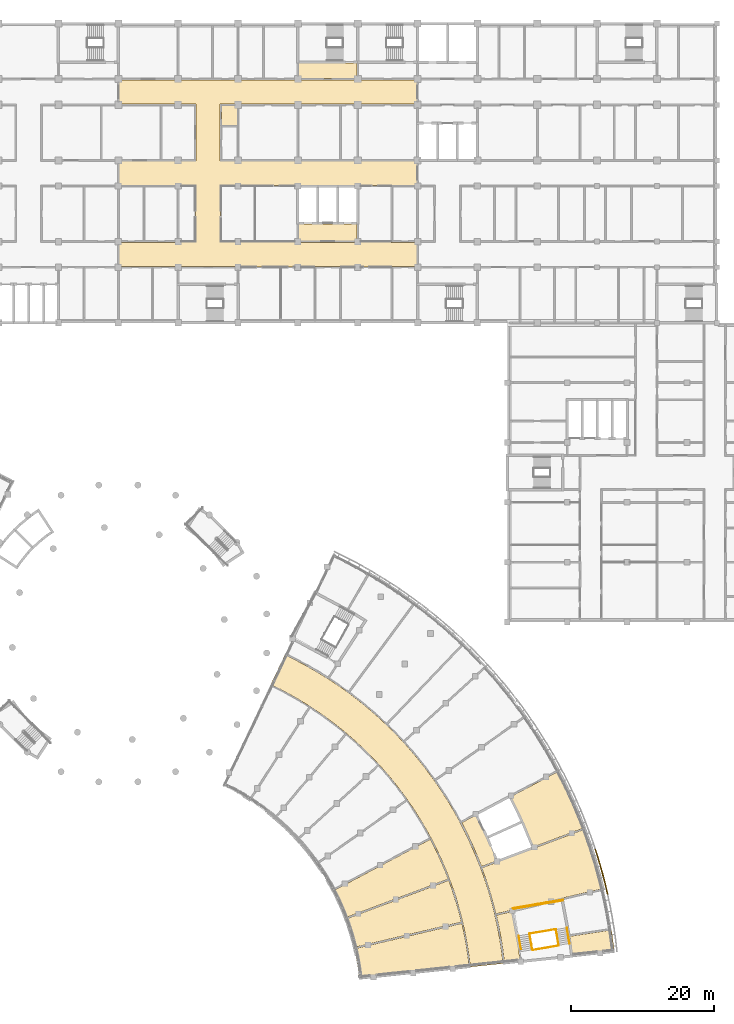
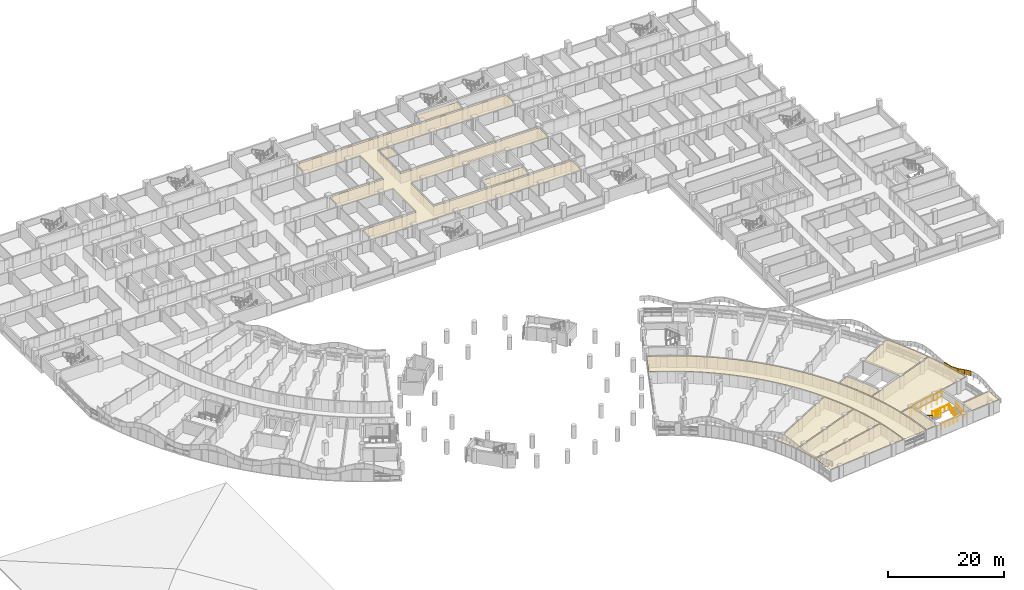
# One storey, part 85 of 89: 17 coverings, 8 railings.
"""IFC4 building model written with IfcOpenShell, lengths in metres."""

from ifc_helpers import new_model, si_unit, direction, frame, origin, origin_2d, place, context, subcontext, project, spatial, polyline, circle, outline, extrude, material, layer, layer_set, type_object, element, save


model = new_model("IFC4")

# Units and contexts
model_context = context("Model", 3, precision=1e-05, world=origin(), true_north=direction((0.0, 1.0)))
body_context = subcontext(model_context, "Body", "Model", "MODEL_VIEW")
ifc_project = project(units=[si_unit("LENGTHUNIT", "METRE"), si_unit("AREAUNIT", "SQUARE_METRE"), si_unit("VOLUMEUNIT", "CUBIC_METRE"), si_unit("PLANEANGLEUNIT", "RADIAN"), si_unit("MASSUNIT", "GRAM", prefix="KILO")], contexts=[model_context])

# Site, building, storey
site_placement = place(None, origin())
site = spatial("IfcSite", under=ifc_project, at=site_placement, CompositionType="ELEMENT")
building_placement = place(site_placement, origin())
building = spatial("IfcBuilding", under=site, at=building_placement, Name="Bougainvillea Quay General Hospital", CompositionType="ELEMENT")
storey_placement = place(building_placement, frame((0.0, 0.0, 9.89990234375)))
storey = spatial("IfcBuildingStorey", under=building, at=storey_placement, Name="L01M", CompositionType="ELEMENT", Elevation=9.89990234375)

# Coverings
ifc_material_1 = material(Name="Powder-coated aluminium fascia, green", Category="aluminium")
ifc_layer_1 = layer(ifc_material_1, 0.14990234375)
ifc_layer_set_1 = layer_set([ifc_layer_1], Name="Powder-coated aluminium fascia, green")
covering_type_1 = type_object("IfcCoveringType", Name="Aluminium wave fascia ribbon green 150x1000", PredefinedType="CLADDING", material=ifc_layer_set_1)
covering_1_placement = place(storey_placement, frame((177.794677734375, 37.392822265625, 2.845947265625), z_axis=(-0.069243969513, 0.293427459463, 0.95347029252), x_axis=(-0.21961483717, 0.927833476281, -0.301486921087)))
element("IfcCovering", 1, at=covering_1_placement, inside=storey, type_object=covering_type_1, Name="Fascia ribbon green a14 6", PredefinedType="CLADDING", context=body_context, shape_type="SweptSolid", body=[
    extrude(outline(polyline([(0.0, 0.0), (1.7108892483990705, -3.054739620977909e-17), (1.7126060172902635, -0.1499179475852107), (-0.0019098084681321576, -0.14984343311987128), (0.0, 0.0)])), origin(), (-0.301486921087, 0.000194150786, 0.95347029252), 1.0),
])
covering_2_placement = place(storey_placement, frame((177.4189453125, 38.980224609375, 2.32958984375), z_axis=(-0.085104385165, 0.329449818461, 0.940329761702), x_axis=(-0.237686434535, 0.909794477291, -0.340263380236)))
element("IfcCovering", 2, at=covering_2_placement, inside=storey, type_object=covering_type_1, Name="Fascia ribbon green a14 7", PredefinedType="CLADDING", context=body_context, shape_type="SweptSolid", body=[
    extrude(outline(polyline([(0.0, 0.0), (1.734870736578066, 3.707971429900425e-17), (1.7366918888687943, -0.15007130792998427), (-0.0018779441171948652, -0.1499160264005808), (0.0, 0.0)])), origin(), (-0.340263380236, 0.000878253092, 0.940329761702), 1.0),
])
covering_3_placement = place(storey_placement, frame((177.006591796875, 40.55859375, 1.73876953125), z_axis=(-0.052959620877, 0.188504319336, 0.980643360324), x_axis=(-0.26975247565, 0.942812730968, -0.195800296746)))
element("IfcCovering", 3, at=covering_3_placement, inside=storey, type_object=covering_type_1, Name="Fascia ribbon green a14 8", PredefinedType="CLADDING", context=body_context, shape_type="SweptSolid", body=[
    extrude(outline(polyline([(0.0, 0.0), (1.663484284629081, -4.515702048402126e-17), (1.6651369635428515, -0.1497693121286236), (-0.0018123427588536034, -0.15006982468671332), (0.0, 0.0)])), origin(), (-0.195800296746, 0.000918502021, 0.980643360324), 1.0),
])
covering_4_placement = place(storey_placement, frame((176.557861328125, 42.126953125, 1.412841796875), z_axis=(0.02289542579, -0.073578998497, 0.99702654451), x_axis=(-0.29664879817, 0.951872587131, 0.077058863302)))
element("IfcCovering", 4, at=covering_4_placement, inside=storey, type_object=covering_type_1, Name="Fascia ribbon green a14 9", PredefinedType="CLADDING", context=body_context, shape_type="SweptSolid", body=[
    extrude(outline(polyline([(0.0, 0.0), (1.636126092870081, 8.610259315429414e-17), (1.6379122854056312, -0.1501556401535075), (-0.001916941058558913, -0.14976530107298233), (0.0, 0.0)])), origin(), (0.077058863302, -3.3593295e-05, 0.99702654451), 1.0),
])

# Railings
ifc_material_2 = material(Name="Stainless steel 304 balustrade", Category="steel")
railing_type_1 = type_object("IfcRailingType", Name="Stair guard 1100", PredefinedType="GUARDRAIL", material=ifc_material_2)
railing_1_placement = place(storey_placement, frame((170.99755859375, 30.240966796875, 0.150146484375)))
element("IfcRailing", 5, at=railing_1_placement, inside=storey, type_object=railing_type_1, Name="L01M ST-E2 stair guard 1", PredefinedType="GUARDRAIL", context=body_context, shape_type="SweptSolid", body=[
    extrude(circle(Radius=0.02392578125, at=origin_2d()), frame((0.0, 0.0, 1.076171875), z_axis=(-0.147859308869, 0.868997692473, 0.472208254119), x_axis=(-0.985831525251, -0.167738498326, 0.0)), (0.0, 0.0, 1.0), 2.541259765625),
    extrude(circle(Radius=0.02099609375, at=origin_2d()), origin(), (0.0, 0.0, 1.0), 1.052001953125),
    extrude(circle(Radius=0.02099609375, at=origin_2d()), frame((-0.125244140625, 0.736083984375, 0.39990234375)), (0.0, 0.0, 1.0), 1.052001953125),
    extrude(circle(Radius=0.02099609375, at=origin_2d()), frame((-0.25048828125, 1.47216796875, 0.800048828125)), (0.0, 0.0, 1.0), 1.052001953125),
    extrude(circle(Radius=0.02099609375, at=origin_2d()), frame((-0.375732421875, 2.208251953125, 1.199951171875)), (0.0, 0.0, 1.0), 1.052001953125),
])
railing_2_placement = place(storey_placement, frame((170.564208984375, 32.490234375, 1.35009765625)))
element("IfcRailing", 6, at=railing_2_placement, inside=storey, type_object=railing_type_1, Name="L01M ST-E2 stair guard 2", PredefinedType="GUARDRAIL", context=body_context, shape_type="SweptSolid", body=[
    extrude(circle(Radius=0.02392578125, at=origin_2d()), frame((0.0, 0.0, 1.076171875), z_axis=(-0.985825397362, -0.167774509137, 0.0), x_axis=(0.167774509137, -0.985825397362, 0.0)), (0.0, 0.0, 1.0), 3.658203125),
    extrude(circle(Radius=0.02099609375, at=origin_2d()), origin(), (0.0, 0.0, 1.0), 1.052001953125),
    extrude(circle(Radius=0.02099609375, at=origin_2d()), frame((-0.901611328125, -0.1533203125, 0.0)), (0.0, 0.0, 1.0), 1.052001953125),
    extrude(circle(Radius=0.02099609375, at=origin_2d()), frame((-1.80322265625, -0.306884765625, 0.0)), (0.0, 0.0, 1.0), 1.052001953125),
    extrude(circle(Radius=0.02099609375, at=origin_2d()), frame((-2.704833984375, -0.46044921875, 0.0)), (0.0, 0.0, 1.0), 1.052001953125),
    extrude(circle(Radius=0.02099609375, at=origin_2d()), frame((-3.6064453125, -0.61376953125, 0.0)), (0.0, 0.0, 1.0), 1.052001953125),
])
railing_3_placement = place(storey_placement, frame((171.55322265625, 36.51416015625, 1.35009765625)))
element("IfcRailing", 7, at=railing_3_placement, inside=storey, type_object=railing_type_1, Name="L01M ST-E2 stair guard 3", PredefinedType="GUARDRAIL", context=body_context, shape_type="SweptSolid", body=[
    extrude(circle(Radius=0.02392578125, at=origin_2d()), frame((0.0, 0.0, 1.076171875), z_axis=(-0.985829689337, -0.167749287992, 0.0), x_axis=(0.167749287992, -0.985829689337, 0.0)), (0.0, 0.0, 1.0), 6.958251953125),
    extrude(circle(Radius=0.02099609375, at=origin_2d()), origin(), (0.0, 0.0, 1.0), 1.052001953125),
    extrude(circle(Radius=0.02099609375, at=origin_2d()), frame((-1.143310546875, -0.194580078125, 0.0)), (0.0, 0.0, 1.0), 1.052001953125),
    extrude(circle(Radius=0.02099609375, at=origin_2d()), frame((-2.28662109375, -0.38916015625, 0.0)), (0.0, 0.0, 1.0), 1.052001953125),
    extrude(circle(Radius=0.02099609375, at=origin_2d()), frame((-3.4296875, -0.58349609375, 0.0)), (0.0, 0.0, 1.0), 1.052001953125),
    extrude(circle(Radius=0.02099609375, at=origin_2d()), frame((-4.572998046875, -0.778076171875, 0.0)), (0.0, 0.0, 1.0), 1.052001953125),
    extrude(circle(Radius=0.02099609375, at=origin_2d()), frame((-5.71630859375, -0.97265625, 0.0)), (0.0, 0.0, 1.0), 1.052001953125),
    extrude(circle(Radius=0.02099609375, at=origin_2d()), frame((-6.859619140625, -1.167236328125, 0.0)), (0.0, 0.0, 1.0), 1.052001953125),
])
railing_4_placement = place(storey_placement, frame((166.9169921875, 31.81884765625, 1.5)))
element("IfcRailing", 8, at=railing_4_placement, inside=storey, type_object=railing_type_1, Name="L01M ST-E2 stair guard 4", PredefinedType="GUARDRAIL", context=body_context, shape_type="SweptSolid", body=[
    extrude(circle(Radius=0.02392578125, at=origin_2d()), frame((0.0, 0.0, 1.076171875), z_axis=(0.147852600654, -0.868958267004, 0.472282901115), x_axis=(0.985831525251, 0.167738498326, 0.0)), (0.0, 0.0, 1.0), 2.541259765625),
    extrude(circle(Radius=0.02099609375, at=origin_2d()), origin(), (0.0, 0.0, 1.0), 1.052001953125),
    extrude(circle(Radius=0.02099609375, at=origin_2d()), frame((0.125244140625, -0.736083984375, 0.400146484375)), (0.0, 0.0, 1.0), 1.052001953125),
    extrude(circle(Radius=0.02099609375, at=origin_2d()), frame((0.25048828125, -1.47216796875, 0.800048828125)), (0.0, 0.0, 1.0), 1.052001953125),
    extrude(circle(Radius=0.02099609375, at=origin_2d()), frame((0.375732421875, -2.208251953125, 1.2001953125)), (0.0, 0.0, 1.0), 1.052001953125),
])
railing_5_placement = place(storey_placement, frame((170.95654296875, 30.183349609375, 0.0)))
element("IfcRailing", 9, at=railing_5_placement, inside=storey, type_object=railing_type_1, Name="L01M ST-E2 stair guard 5", PredefinedType="GUARDRAIL", context=body_context, shape_type="SweptSolid", body=[
    extrude(circle(Radius=0.02392578125, at=origin_2d()), frame((0.0, 0.0, 1.076171875), z_axis=(-0.98582351867, -0.167785547758, 0.0), x_axis=(0.167785547758, -0.98582351867, 0.0)), (0.0, 0.0, 1.0), 3.657958984375),
    extrude(circle(Radius=0.02099609375, at=origin_2d()), origin(), (0.0, 0.0, 1.0), 1.052001953125),
    extrude(circle(Radius=0.02099609375, at=origin_2d()), frame((-0.901611328125, -0.1533203125, 0.0)), (0.0, 0.0, 1.0), 1.052001953125),
    extrude(circle(Radius=0.02099609375, at=origin_2d()), frame((-1.80322265625, -0.306884765625, 0.0)), (0.0, 0.0, 1.0), 1.052001953125),
    extrude(circle(Radius=0.02099609375, at=origin_2d()), frame((-2.70458984375, -0.46044921875, 0.0)), (0.0, 0.0, 1.0), 1.052001953125),
    extrude(circle(Radius=0.02099609375, at=origin_2d()), frame((-3.606201171875, -0.61376953125, 0.0)), (0.0, 0.0, 1.0), 1.052001953125),
])
railing_6_placement = place(storey_placement, frame((171.635009765625, 36.62939453125, 0.0)))
element("IfcRailing", 10, at=railing_6_placement, inside=storey, type_object=railing_type_1, Name="L01M ST-E2 stair guard 6", PredefinedType="GUARDRAIL", context=body_context, shape_type="SweptSolid", body=[
    extrude(circle(Radius=0.02392578125, at=origin_2d()), frame((0.0, 0.0, 1.076171875), z_axis=(-0.98583149158, -0.167738696222, 0.0), x_axis=(0.167738696222, -0.98583149158, 0.0)), (0.0, 0.0, 1.0), 7.157958984375),
    extrude(circle(Radius=0.02099609375, at=origin_2d()), origin(), (0.0, 0.0, 1.0), 1.052001953125),
    extrude(circle(Radius=0.02099609375, at=origin_2d()), frame((-1.176025390625, -0.2001953125, 0.0)), (0.0, 0.0, 1.0), 1.052001953125),
    extrude(circle(Radius=0.02099609375, at=origin_2d()), frame((-2.352294921875, -0.400146484375, 0.0)), (0.0, 0.0, 1.0), 1.052001953125),
    extrude(circle(Radius=0.02099609375, at=origin_2d()), frame((-3.5283203125, -0.600341796875, 0.0)), (0.0, 0.0, 1.0), 1.052001953125),
    extrude(circle(Radius=0.02099609375, at=origin_2d()), frame((-4.704345703125, -0.800537109375, 0.0)), (0.0, 0.0, 1.0), 1.052001953125),
    extrude(circle(Radius=0.02099609375, at=origin_2d()), frame((-5.880615234375, -1.00048828125, 0.0)), (0.0, 0.0, 1.0), 1.052001953125),
    extrude(circle(Radius=0.02099609375, at=origin_2d()), frame((-7.056640625, -1.20068359375, 0.0)), (0.0, 0.0, 1.0), 1.052001953125),
])
ifc_material_3 = material(Name="Stainless steel 304 handrail", Category="steel")
railing_type_2 = type_object("IfcRailingType", Name="Stair handrail 900", PredefinedType="HANDRAIL", material=ifc_material_3)
railing_7_placement = place(storey_placement, frame((172.525634765625, 30.5009765625, 0.150146484375)))
element("IfcRailing", 11, at=railing_7_placement, inside=storey, type_object=railing_type_2, Name="L01M ST-E2 stair handrail 1", PredefinedType="HANDRAIL", context=body_context, shape_type="SweptSolid", body=[
    extrude(circle(Radius=0.02392578125, at=origin_2d()), frame((0.0, 0.0, 0.8759765625), z_axis=(-0.147859308869, 0.868997692473, 0.472208254119), x_axis=(-0.985831525251, -0.167738498326, 0.0)), (0.0, 0.0, 1.0), 2.541259765625),
    extrude(circle(Radius=0.02099609375, at=origin_2d()), origin(), (0.0, 0.0, 1.0), 0.851806640625),
    extrude(circle(Radius=0.02099609375, at=origin_2d()), frame((-0.125244140625, 0.736083984375, 0.39990234375)), (0.0, 0.0, 1.0), 0.851806640625),
    extrude(circle(Radius=0.02099609375, at=origin_2d()), frame((-0.25048828125, 1.47216796875, 0.800048828125)), (0.0, 0.0, 1.0), 0.851806640625),
    extrude(circle(Radius=0.02099609375, at=origin_2d()), frame((-0.375732421875, 2.208251953125, 1.199951171875)), (0.0, 0.0, 1.0), 0.851806640625),
])
railing_8_placement = place(storey_placement, frame((165.388916015625, 31.558837890625, 1.5)))
element("IfcRailing", 12, at=railing_8_placement, inside=storey, type_object=railing_type_2, Name="L01M ST-E2 stair handrail 2", PredefinedType="HANDRAIL", context=body_context, shape_type="SweptSolid", body=[
    extrude(circle(Radius=0.02392578125, at=origin_2d()), frame((0.0, 0.0, 0.8759765625), z_axis=(0.147891180393, -0.868931731687, 0.472319642224), x_axis=(0.98582343924, 0.167786014449, 0.0)), (0.0, 0.0, 1.0), 2.147705078125),
    extrude(circle(Radius=0.02099609375, at=origin_2d()), origin(), (0.0, 0.0, 1.0), 0.851806640625),
    extrude(circle(Radius=0.02099609375, at=origin_2d()), frame((0.15869140625, -0.93310546875, 0.50732421875)), (0.0, 0.0, 1.0), 0.851806640625),
    extrude(circle(Radius=0.02099609375, at=origin_2d()), frame((0.317626953125, -1.8662109375, 1.014404296875)), (0.0, 0.0, 1.0), 0.851806640625),
])

# Coverings
ifc_material_4 = material(Name="Mineral fibre ceiling tile")
ifc_layer_2 = layer(ifc_material_4, 0.030029296875)
ifc_layer_set_2 = layer_set([ifc_layer_2], Name="Mineral fibre ceiling tile")
covering_type_2 = type_object("IfcCoveringType", Name="Suspended ceiling mineral fibre tile", PredefinedType="CEILING", material=ifc_layer_set_2)
covering_5_placement = place(storey_placement, frame((0.0, 0.0, 2.050048828125)))
element("IfcCovering", 13, at=covering_5_placement, inside=storey, type_object=covering_type_2, Name="Ceiling Corridor V4-4", PredefinedType="CEILING", context=body_context, shape_type="SweptSolid", body=[
    extrude(outline(polyline([(109.300048828125, 148.300048828125), (120.10009765625, 148.300048828125), (120.10009765625, 140.300048828125), (109.300048828125, 140.300048828125), (109.300048828125, 136.89990234375), (117.699951171875, 136.89990234375), (117.699951171875, 136.85009765625), (120.050048828125, 136.85009765625), (120.050048828125, 128.949951171875), (117.699951171875, 128.949951171875), (117.699951171875, 128.89990234375), (109.300048828125, 128.89990234375), (109.300048828125, 125.5), (126.10009765625, 125.5), (126.10009765625, 125.449951171875), (136.697998046875, 125.449951171875), (136.697998046875, 125.5), (140.498046875, 125.5), (140.498046875, 125.449951171875), (147.498046875, 125.449951171875), (147.498046875, 125.5), (151.10009765625, 125.5), (151.10009765625, 128.89990234375), (147.5, 128.89990234375), (147.5, 128.949951171875), (142.89990234375, 128.949951171875), (142.89990234375, 128.89990234375), (134.300048828125, 128.89990234375), (134.300048828125, 128.949951171875), (123.550048828125, 128.949951171875), (123.550048828125, 136.85009765625), (147.5, 136.85009765625), (147.5, 136.89990234375), (151.10009765625, 136.89990234375), (151.10009765625, 140.300048828125), (123.5, 140.300048828125), (123.5, 148.300048828125), (151.10009765625, 148.300048828125), (151.10009765625, 151.699951171875), (109.300048828125, 151.699951171875), (109.300048828125, 148.300048828125)])), origin(), (0.0, 0.0, 1.0), 0.030029296875),
])
covering_6_placement = place(storey_placement, frame((0.0, 0.0, 2.050048828125)))
element("IfcCovering", 14, at=covering_6_placement, inside=storey, type_object=covering_type_2, Name="Ceiling Fire Lift Lobby LB-B2", PredefinedType="CEILING", context=body_context, shape_type="SweptSolid", body=[
    extrude(outline(polyline([(142.699951171875, 129.10009765625), (142.699951171875, 131.5), (134.5, 131.5), (134.5, 129.10009765625), (142.699951171875, 129.10009765625)])), origin(), (0.0, 0.0, 1.0), 0.030029296875),
])
covering_7_placement = place(storey_placement, frame((0.0, 0.0, 2.050048828125)))
element("IfcCovering", 15, at=covering_7_placement, inside=storey, type_object=covering_type_2, Name="Ceiling Smoke-proof Stair Vestibule ST-A3", PredefinedType="CEILING", context=body_context, shape_type="SweptSolid", body=[
    extrude(outline(polyline([(134.5, 151.89990234375), (142.699951171875, 151.89990234375), (142.699951171875, 154.10009765625), (134.5, 154.10009765625), (134.5, 151.89990234375)])), origin(), (0.0, 0.0, 1.0), 0.030029296875),
])
covering_8_placement = place(storey_placement, frame((0.0, 0.0, 2.050048828125)))
element("IfcCovering", 16, at=covering_8_placement, inside=storey, type_object=covering_type_2, Name="Ceiling Filter Store", PredefinedType="CEILING", context=body_context, shape_type="SweptSolid", body=[
    extrude(outline(polyline([(123.699951171875, 148.10009765625), (123.699951171875, 145.300048828125), (125.89990234375, 145.300048828125), (125.89990234375, 148.10009765625), (123.699951171875, 148.10009765625)])), origin(), (0.0, 0.0, 1.0), 0.030029296875),
])
covering_9_placement = place(storey_placement, frame((0.0, 0.0, 2.3701171875)))
element("IfcCovering", 17, at=covering_9_placement, inside=storey, type_object=covering_type_2, Name="Ceiling Interstitial Walkway", PredefinedType="CEILING", context=body_context, shape_type="SweptSolid", body=[
    extrude(outline(polyline([(130.552978515625, 66.76806640625), (130.58642578125, 66.835205078125), (131.917236328125, 66.174560546875), (131.91845703125, 66.176513671875), (131.9833984375, 66.1416015625), (132.049560546875, 66.10888671875), (132.048583984375, 66.106689453125), (133.29443359375, 65.4384765625), (133.295654296875, 65.4404296875), (133.359375, 65.403564453125), (133.424560546875, 65.36865234375), (133.42333984375, 65.36669921875), (134.647705078125, 64.6591796875), (134.64892578125, 64.661376953125), (134.711669921875, 64.622314453125), (134.775390625, 64.58544921875), (134.774169921875, 64.583251953125), (136.03173828125, 63.7998046875), (136.0341796875, 63.8017578125), (136.11669921875, 63.7470703125), (136.200439453125, 63.69482421875), (136.199951171875, 63.691650390625), (137.277099609375, 62.9755859375), (137.2783203125, 62.9775390625), (137.33837890625, 62.934814453125), (137.39990234375, 62.89404296875), (137.398681640625, 62.89208984375), (138.55029296875, 62.0732421875), (138.551513671875, 62.0751953125), (138.6103515625, 62.030517578125), (138.670654296875, 61.987548828125), (138.669189453125, 61.98583984375), (139.795654296875, 61.130615234375), (139.79736328125, 61.132568359375), (139.8544921875, 61.0859375), (139.9130859375, 61.041259765625), (139.91162109375, 61.039306640625), (141.1318359375, 60.043701171875), (141.13427734375, 60.045166015625), (141.209228515625, 59.98046875), (141.285888671875, 59.91796875), (141.284912109375, 59.9150390625), (142.193115234375, 59.13037109375), (142.194580078125, 59.132080078125), (142.2490234375, 59.08203125), (142.3046875, 59.03369140625), (142.30322265625, 59.031982421875), (143.34326171875, 58.074462890625), (143.344970703125, 58.076171875), (143.397705078125, 58.0244140625), (143.451904296875, 57.974365234375), (143.450439453125, 57.97265625), (144.460693359375, 56.983154296875), (144.462646484375, 56.985107421875), (144.513427734375, 56.931640625), (144.566162109375, 56.880126953125), (144.564208984375, 56.878173828125), (145.71337890625, 55.669189453125), (145.716064453125, 55.67041015625), (145.781982421875, 55.596923828125), (145.850341796875, 55.525146484375), (145.84912109375, 55.522216796875), (146.589111328125, 54.6982421875), (146.5908203125, 54.69970703125), (146.638671875, 54.643310546875), (146.68798828125, 54.58837890625), (146.686279296875, 54.5869140625), (147.598876953125, 53.506591796875), (147.60107421875, 53.50830078125), (147.646240234375, 53.4501953125), (147.693603515625, 53.39404296875), (147.69140625, 53.392333984375), (149.0185546875, 51.689208984375), (149.020751953125, 51.690673828125), (149.06396484375, 51.631103515625), (149.109375, 51.572998046875), (149.107177734375, 51.5712890625), (149.70263671875, 50.748291015625), (149.705810546875, 50.748779296875), (149.761474609375, 50.6669921875), (149.8193359375, 50.5869140625), (149.8173828125, 50.58447265625), (150.806396484375, 49.1279296875), (150.80859375, 49.12939453125), (150.847900390625, 49.067138671875), (150.88916015625, 49.006103515625), (150.886962890625, 49.004638671875), (151.639892578125, 47.806396484375), (151.641845703125, 47.8076171875), (151.67919921875, 47.743896484375), (151.718505859375, 47.681396484375), (151.71630859375, 47.68017578125), (152.429931640625, 46.459716796875), (152.431884765625, 46.460693359375), (152.46728515625, 46.39599609375), (152.504638671875, 46.33203125), (152.502685546875, 46.3310546875), (153.032470703125, 45.35986328125), (153.03466796875, 45.3603515625), (153.080322265625, 45.272216796875), (153.127685546875, 45.18505859375), (153.126220703125, 45.183349609375), (153.55224609375, 44.358154296875), (153.553955078125, 44.359130859375), (153.6201171875, 44.226806640625), (153.6181640625, 44.225830078125), (154.233642578125, 42.950927734375), (154.23486328125, 42.951416015625), (154.298095703125, 42.817138671875), (154.296875, 42.81640625), (154.542724609375, 42.279541015625), (154.54443359375, 42.280517578125), (154.6044921875, 42.14501953125), (154.6025390625, 42.144287109375), (155.157470703125, 40.84423828125), (155.159423828125, 40.84521484375), (155.1865234375, 40.7763671875), (155.21533203125, 40.70849609375), (155.21337890625, 40.70751953125), (155.649658203125, 39.591552734375), (155.65283203125, 39.59130859375), (155.686279296875, 39.498291015625), (155.72216796875, 39.40625), (155.719970703125, 39.404296875), (156.24267578125, 37.943115234375), (156.24609375, 37.944091796875), (156.253662109375, 37.92041015625), (156.277099609375, 37.927978515625), (156.5283203125, 37.150390625), (156.796875, 36.299560546875), (156.7734375, 36.292236328125), (156.78076171875, 36.2685546875), (156.77783203125, 36.267578125), (157.1591796875, 34.932373046875), (157.161376953125, 34.93310546875), (157.179443359375, 34.861328125), (157.19970703125, 34.79052734375), (157.197509765625, 34.789794921875), (157.5126953125, 33.537353515625), (157.515625, 33.536865234375), (157.537109375, 33.440185546875), (157.56103515625, 33.34423828125), (157.55859375, 33.342529296875), (157.877685546875, 31.89404296875), (157.880126953125, 31.89453125), (157.8935546875, 31.822021484375), (157.909423828125, 31.75), (157.906982421875, 31.749267578125), (158.16455078125, 30.360107421875), (158.166748046875, 30.360595703125), (158.177978515625, 30.28759765625), (158.19140625, 30.21484375), (158.189208984375, 30.214599609375), (158.403076171875, 28.817138671875), (158.405517578125, 28.817626953125), (158.414306640625, 28.744140625), (158.425537109375, 28.671142578125), (158.42333984375, 28.6708984375), (158.590576171875, 27.295166015625), (158.592041015625, 27.29541015625), (158.59423828125, 27.275146484375), (158.6142578125, 27.2783203125), (158.628173828125, 27.19482421875), (163.20263671875, 27.67626953125), (162.993896484375, 29.3994140625), (162.73046875, 31.111083984375), (162.412109375, 32.81396484375), (162.03955078125, 34.5068359375), (162.0166015625, 34.603271484375), (162.01806640625, 34.603515625), (162.017822265625, 34.605224609375), (162.0390625, 34.60986328125), (161.670654296875, 36.065673828125), (161.251220703125, 37.553466796875), (160.744873046875, 39.1552734375), (160.07568359375, 41.043212890625), (160.0556640625, 41.03515625), (160.05517578125, 41.03662109375), (160.0537109375, 41.0361328125), (160.018798828125, 41.12890625), (159.382568359375, 42.74072265625), (158.69580078125, 44.331787109375), (157.958251953125, 45.89892578125), (157.170166015625, 47.44287109375), (157.123779296875, 47.530517578125), (157.125244140625, 47.53125), (157.12451171875, 47.53271484375), (157.143798828125, 47.54248046875), (156.35693359375, 48.9716796875), (155.47216796875, 50.462646484375), (154.540283203125, 51.923583984375), (153.56298828125, 53.3544921875), (152.0615234375, 55.378173828125), (151.00830078125, 56.68798828125), (149.91552734375, 57.964599609375), (149.2119140625, 58.74609375), (148.019287109375, 60.00341796875), (146.787109375, 61.222900390625), (145.516845703125, 62.402099609375), (144.209716796875, 63.53955078125), (142.866455078125, 64.635009765625), (141.489501953125, 65.687744140625), (140.079345703125, 66.6953125), (138.72265625, 67.601806640625), (138.711181640625, 67.583251953125), (138.709716796875, 67.583984375), (138.708984375, 67.582763671875), (138.62548828125, 67.636474609375), (137.153564453125, 68.55224609375), (135.654296875, 69.419677734375), (134.128173828125, 70.240234375), (132.5771484375, 71.0107421875), (130.552978515625, 66.76806640625)])), origin(), (0.0, 0.0, 1.0), 0.030029296875),
])
covering_10_placement = place(storey_placement, frame((0.0, 0.0, 2.3701171875)))
element("IfcCovering", 18, at=covering_10_placement, inside=storey, type_object=covering_type_2, Name="Ceiling Lift Lobby LB-E1", PredefinedType="CEILING", context=body_context, shape_type="SweptSolid", body=[
    extrude(outline(polyline([(159.424560546875, 48.52392578125), (157.392822265625, 47.44677734375), (158.093017578125, 46.07470703125), (158.095947265625, 46.076171875), (158.1376953125, 45.987060546875), (158.1826171875, 45.8994140625), (158.1796875, 45.89794921875), (158.836181640625, 44.503173828125), (158.839111328125, 44.50439453125), (158.878173828125, 44.4140625), (158.920166015625, 44.3251953125), (158.917236328125, 44.32373046875), (159.5283203125, 42.907470703125), (159.53125, 42.90869140625), (159.5673828125, 42.817138671875), (159.6064453125, 42.726806640625), (159.603515625, 42.7255859375), (160.1689453125, 41.293212890625), (162.3212890625, 42.10400390625), (161.693115234375, 43.696044921875), (160.97412109375, 45.360107421875), (160.202880859375, 46.9990234375), (159.424560546875, 48.52392578125)])), origin(), (0.0, 0.0, 1.0), 0.030029296875),
])
covering_11_placement = place(storey_placement, frame((0.0, 0.0, 2.3701171875)))
element("IfcCovering", 19, at=covering_11_placement, inside=storey, type_object=covering_type_2, Name="Ceiling Smoke-proof Vestibule ST-E2", PredefinedType="CEILING", context=body_context, shape_type="SweptSolid", body=[
    extrude(outline(polyline([(163.20703125, 29.329345703125), (163.203857421875, 29.328857421875), (163.389404296875, 27.7998046875), (165.576416015625, 28.02978515625), (165.370849609375, 29.726318359375), (165.096435546875, 31.51416015625), (164.763916015625, 33.2919921875), (164.397216796875, 34.961181640625), (162.255859375, 34.454345703125), (162.5869140625, 32.9501953125), (162.58984375, 32.95068359375), (162.60791015625, 32.85400390625), (162.629150390625, 32.7578125), (162.626220703125, 32.757080078125), (162.909423828125, 31.241455078125), (162.91259765625, 31.241943359375), (162.927490234375, 31.144775390625), (162.945556640625, 31.048095703125), (162.942626953125, 31.047607421875), (163.177001953125, 29.52392578125), (163.18017578125, 29.5244140625), (163.192138671875, 29.426513671875), (163.20703125, 29.329345703125)])), origin(), (0.0, 0.0, 1.0), 0.030029296875),
])
covering_12_placement = place(storey_placement, frame((0.0, 0.0, 2.3701171875)))
element("IfcCovering", 20, at=covering_12_placement, inside=storey, type_object=covering_type_2, Name="Ceiling Air Handling Plant", PredefinedType="CEILING", context=body_context, shape_type="SweptSolid", body=[
    extrude(outline(polyline([(167.412109375, 43.9130859375), (167.376708984375, 44.006591796875), (174.575927734375, 46.716796875), (173.909423828125, 48.421142578125), (173.046630859375, 50.4423828125), (172.12109375, 52.434326171875), (170.990966796875, 54.657958984375), (164.19677734375, 51.0556640625), (164.14990234375, 51.14404296875), (165.052001953125, 49.3759765625), (165.89599609375, 47.580078125), (166.68408203125, 45.759033203125), (167.412109375, 43.9130859375)])), origin(), (0.0, 0.0, 1.0), 0.030029296875),
])
covering_13_placement = place(storey_placement, frame((0.0, 0.0, 2.3701171875)))
element("IfcCovering", 21, at=covering_13_placement, inside=storey, type_object=covering_type_2, Name="Ceiling Pipework and Riser Space", PredefinedType="CEILING", context=body_context, shape_type="SweptSolid", body=[
    extrude(outline(polyline([(162.358154296875, 42.010498046875), (162.393310546875, 41.91748046875), (160.215576171875, 41.09716796875), (160.862548828125, 39.2724609375), (160.864990234375, 39.273193359375), (160.88720703125, 39.202880859375), (160.911865234375, 39.13330078125), (160.909423828125, 39.132568359375), (161.37255859375, 37.6669921875), (161.374755859375, 37.66748046875), (161.394775390625, 37.596435546875), (161.417236328125, 37.526123046875), (161.414794921875, 37.525390625), (161.79541015625, 36.175537109375), (161.79736328125, 36.176025390625), (161.83544921875, 36.033203125), (161.833740234375, 36.03271484375), (162.185546875, 34.643310546875), (164.354248046875, 35.15673828125), (164.353759765625, 35.158203125), (164.45068359375, 35.179443359375), (177.1923828125, 38.196044921875), (176.71337890625, 40.09814453125), (176.111328125, 42.211181640625), (175.4423828125, 44.303955078125), (174.64599609375, 46.529541015625), (167.447265625, 43.8193359375), (167.411865234375, 43.9130859375), (162.358154296875, 42.010498046875)])), origin(), (0.0, 0.0, 1.0), 0.030029296875),
])
covering_14_placement = place(storey_placement, frame((0.0, 0.0, 2.3701171875)))
element("IfcCovering", 22, at=covering_14_placement, inside=storey, type_object=covering_type_2, Name="Ceiling Pipework and Riser Space", PredefinedType="CEILING", context=body_context, shape_type="SweptSolid", body=[
    extrude(outline(polyline([(178.39990234375, 32.489013671875), (178.4150390625, 32.39013671875), (172.583740234375, 31.505126953125), (172.68701171875, 30.83203125), (172.690185546875, 30.832275390625), (172.7021484375, 30.734619140625), (172.717041015625, 30.637451171875), (172.7138671875, 30.636962890625), (172.9365234375, 28.8037109375), (178.803955078125, 29.42138671875), (178.551025390625, 31.5029296875), (178.39990234375, 32.489013671875)])), origin(), (0.0, 0.0, 1.0), 0.030029296875),
])
covering_15_placement = place(storey_placement, frame((0.0, 0.0, 2.3701171875)))
element("IfcCovering", 23, at=covering_15_placement, inside=storey, type_object=covering_type_2, Name="Ceiling Interstitial Service Space", PredefinedType="CEILING", context=body_context, shape_type="SweptSolid", body=[
    extrude(outline(polyline([(139.81982421875, 37.008056640625), (139.864501953125, 36.92041015625), (139.86181640625, 36.9189453125), (140.2412109375, 36.11328125), (140.244140625, 36.114501953125), (140.283203125, 36.024169921875), (140.3251953125, 35.93505859375), (140.322265625, 35.933837890625), (140.675537109375, 35.115478515625), (140.67822265625, 35.11669921875), (140.71435546875, 35.025146484375), (140.75341796875, 34.934814453125), (140.75048828125, 34.93359375), (141.076904296875, 34.106201171875), (155.50927734375, 39.538818359375), (155.047607421875, 40.7197265625), (154.4365234375, 42.151611328125), (154.130126953125, 42.820068359375), (153.451904296875, 44.2255859375), (152.99365234375, 45.113037109375), (139.370849609375, 37.888671875), (139.775146484375, 37.095703125), (139.77783203125, 37.09716796875), (139.81982421875, 37.008056640625)])), origin(), (0.0, 0.0, 1.0), 0.030029296875),
])
covering_16_placement = place(storey_placement, frame((0.0, 0.0, 2.3701171875)))
element("IfcCovering", 24, at=covering_16_placement, inside=storey, type_object=covering_type_2, Name="Ceiling Medical Gas and Vacuum Risers", PredefinedType="CEILING", context=body_context, shape_type="SweptSolid", body=[
    extrude(outline(polyline([(141.480712890625, 32.9892578125), (141.513916015625, 32.896728515625), (141.510986328125, 32.8955078125), (141.784423828125, 32.0478515625), (141.787353515625, 32.048828125), (141.814697265625, 31.9541015625), (141.844970703125, 31.860595703125), (141.841796875, 31.859619140625), (142.08837890625, 31.002685546875), (142.09130859375, 31.003662109375), (142.115478515625, 30.908203125), (142.142822265625, 30.8134765625), (142.139892578125, 30.812744140625), (142.358642578125, 29.950927734375), (157.36669921875, 33.502685546875), (157.03466796875, 34.822509765625), (156.628173828125, 36.246337890625), (156.606201171875, 36.2392578125), (156.36767578125, 36.99462890625), (156.0869140625, 37.86669921875), (156.1083984375, 37.87353515625), (155.57958984375, 39.351318359375), (141.1474609375, 33.919189453125), (141.447509765625, 33.081787109375), (141.450439453125, 33.082763671875), (141.480712890625, 32.9892578125)])), origin(), (0.0, 0.0, 1.0), 0.030029296875),
])
covering_17_placement = place(storey_placement, frame((0.0, 0.0, 2.3701171875)))
element("IfcCovering", 25, at=covering_17_placement, inside=storey, type_object=covering_type_2, Name="Ceiling Medical Gas and Vacuum Risers", PredefinedType="CEILING", context=body_context, shape_type="SweptSolid", body=[
    extrude(outline(polyline([(143.012939453125, 25.555908203125), (143.00244140625, 25.655517578125), (158.44140625, 27.279541015625), (158.265625, 28.723876953125), (158.030029296875, 30.262451171875), (157.74658203125, 31.7919921875), (157.41259765625, 33.30810546875), (142.40478515625, 29.75634765625), (142.61669921875, 28.79345703125), (142.51904296875, 28.77197265625), (142.718017578125, 27.705078125), (142.887939453125, 26.597900390625), (143.012939453125, 25.555908203125)])), origin(), (0.0, 0.0, 1.0), 0.030029296875),
])

save(model, "model.ifc")
